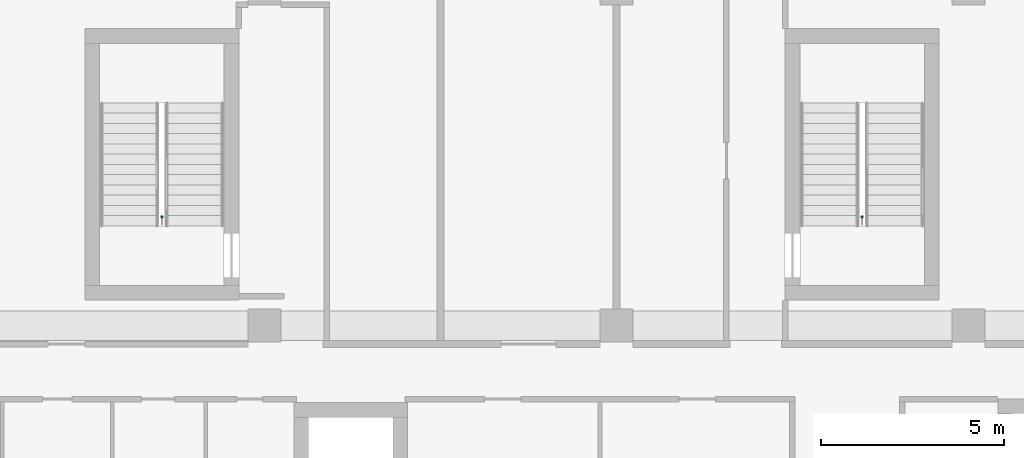
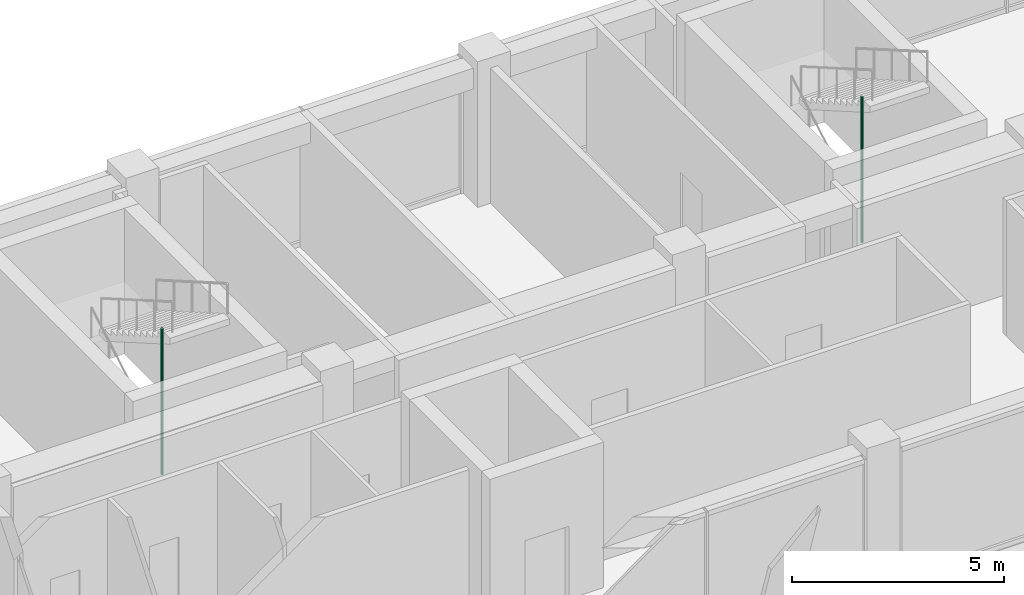
# One storey, part 36 of 38: 2 pipe segments.
"""IFC4 building model written with IfcOpenShell, lengths in metres."""

from ifc_helpers import new_model, si_unit, direction, frame, origin, origin_2d, place, context, subcontext, project, spatial, circle, extrude, element, save


model = new_model("IFC4")

# Units and contexts
model_context = context("Model", 3, precision=1e-05, world=origin(), true_north=direction((0.0, 1.0)))
body_context = subcontext(model_context, "Body", "Model", "MODEL_VIEW")
ifc_project = project(units=[si_unit("LENGTHUNIT", "METRE"), si_unit("AREAUNIT", "SQUARE_METRE"), si_unit("VOLUMEUNIT", "CUBIC_METRE"), si_unit("PLANEANGLEUNIT", "RADIAN"), si_unit("MASSUNIT", "GRAM", prefix="KILO")], contexts=[model_context])

# Site, building, storey
site_placement = place(None, origin())
site = spatial("IfcSite", under=ifc_project, at=site_placement, CompositionType="ELEMENT")
building_placement = place(site_placement, origin())
building = spatial("IfcBuilding", under=site, at=building_placement, Name="Nzadi Deep Aquarium and Research Tower", CompositionType="ELEMENT")
storey_placement = place(building_placement, frame((0.0, 0.0, 52.89990234375)))
storey = spatial("IfcBuildingStorey", under=building, at=storey_placement, Name="L10", CompositionType="ELEMENT", Elevation=52.89990234375)

# Pipe segments
for number, where, z_axis, x_axis, name in (
    (1, (6.800048828125, 39.77001953125, 0.0), (0.0, 0.0, 1.0), (1.0, 0.0, 0.0), "Dry riser ST-Z1-NW L10"),
    (2, (25.89990234375, 39.77001953125, 0.0), (0.0, 0.0, 1.0), (1.0, 0.0, 0.0), "Dry riser ST-Z1-NE L10"),
):
    element("IfcPipeSegment", number, at=place(storey_placement, frame(where, z_axis=z_axis, x_axis=x_axis)), inside=storey, Name=name, PredefinedType="RIGIDSEGMENT", context=body_context, shape_type="SweptSolid", body=[
        extrude(circle(Radius=0.034912109375, at=origin_2d()), origin(), (0.0, 0.0, 1.0), 4.2001953125),
    ])

save(model, "model.ifc")
